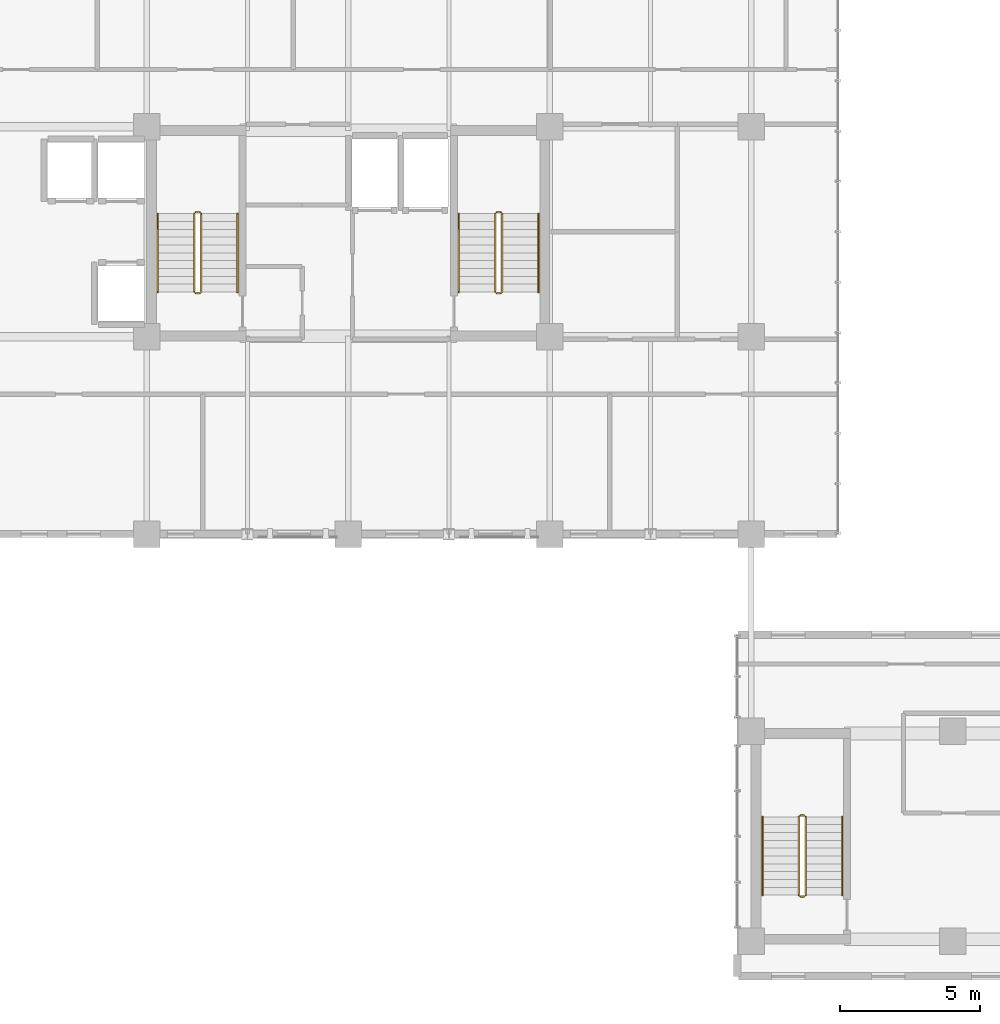
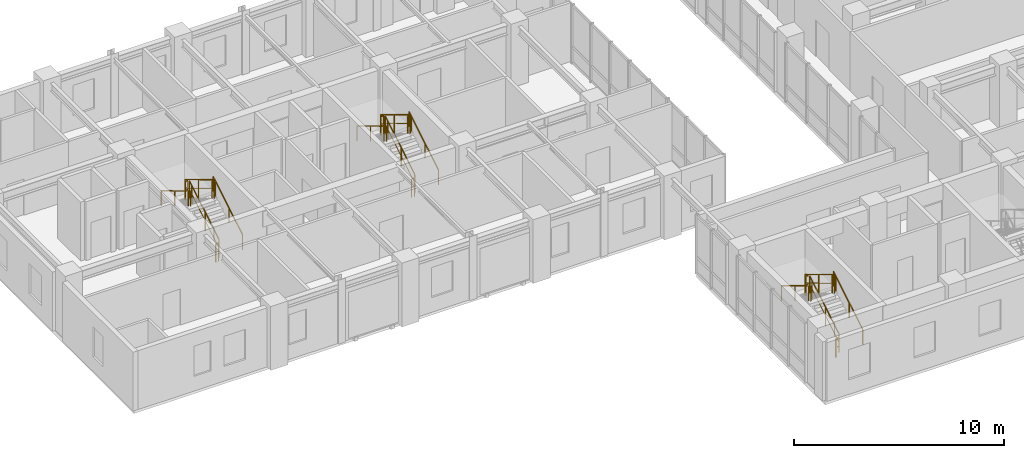
# One storey, part 22 of 24: 18 railings.
"""IFC4 building model written with IfcOpenShell, lengths in metres."""

from ifc_helpers import new_model, si_unit, direction, frame, origin, origin_2d, place, context, subcontext, project, spatial, rectangle, extrude, material, type_object, element, save


model = new_model("IFC4")

# Units and contexts
model_context = context("Model", 3, precision=1e-05, world=origin(), true_north=direction((0.0, 1.0)))
body_context = subcontext(model_context, "Body", "Model", "MODEL_VIEW")
ifc_project = project(units=[si_unit("LENGTHUNIT", "METRE"), si_unit("AREAUNIT", "SQUARE_METRE"), si_unit("VOLUMEUNIT", "CUBIC_METRE"), si_unit("PLANEANGLEUNIT", "RADIAN"), si_unit("MASSUNIT", "GRAM", prefix="KILO")], contexts=[model_context])

# Site, building, storey
site_placement = place(None, origin())
site = spatial("IfcSite", under=ifc_project, at=site_placement, CompositionType="ELEMENT")
building_placement = place(site_placement, origin())
building = spatial("IfcBuilding", under=site, at=building_placement, Name="Kaliganga Portal Commons", CompositionType="ELEMENT")
storey_placement = place(building_placement, frame((0.0, 0.0, 235.10009765625)))
storey = spatial("IfcBuildingStorey", under=building, at=storey_placement, Name="L60", CompositionType="ELEMENT", Elevation=235.10009765625)

# Railings
ifc_material_1 = material(Name="Galvanized Painted Steel Balustrade", Category="steel")
railing_type_1 = type_object("IfcRailingType", Name="RLG-STAIR-GRD", PredefinedType="GUARDRAIL", material=ifc_material_1)
railing_1_placement = place(storey_placement, frame((16.35009765625, 30.25, 0.16796875)))
element("IfcRailing", 1, at=railing_1_placement, inside=storey, type_object=railing_type_1, Name="L60 ST-A1 stair guard 1", PredefinedType="GUARDRAIL", context=body_context, shape_type="SweptSolid", body=[
    extrude(rectangle(XDim=0.048095703125, YDim=0.048095703125, at=origin_2d()), frame((0.0, 0.0, 1.072021484375), z_axis=(0.0, 0.857242210791, 0.514913383045), x_axis=(-1.0, 0.0, 0.0)), (0.0, 0.0, 1.0), 3.266357421875),
    extrude(rectangle(XDim=0.028076171875, YDim=0.028076171875, at=origin_2d()), frame((0.0, 0.0, 0.572021484375), z_axis=(0.0, 0.857242210791, 0.514913383045), x_axis=(-1.0, 0.0, 0.0)), (0.0, 0.0, 1.0), 3.266357421875),
    extrude(rectangle(XDim=0.0419921875, YDim=0.0419921875, at=origin_2d()), origin(), (0.0, 0.0, 1.0), 1.052001953125),
    extrude(rectangle(XDim=0.0419921875, YDim=0.0419921875, at=origin_2d()), frame((0.0, 1.285888671875, 0.7724609375)), (0.0, 0.0, 1.0), 1.052001953125),
    extrude(rectangle(XDim=0.0419921875, YDim=0.0419921875, at=origin_2d()), frame((0.0, 2.57177734375, 1.544677734375)), (0.0, 0.0, 1.0), 1.052001953125),
    extrude(rectangle(XDim=0.0419921875, YDim=0.0419921875, at=origin_2d()), frame((0.0, 2.800048828125, 1.681884765625)), (0.0, 0.0, 1.0), 1.052001953125),
])
railing_2_placement = place(storey_placement, frame((16.300048828125, 33.10009765625, 1.849853515625)))
element("IfcRailing", 2, at=railing_2_placement, inside=storey, type_object=railing_type_1, Name="L60 ST-A1 stair guard 2", PredefinedType="GUARDRAIL", context=body_context, shape_type="SweptSolid", body=[
    extrude(rectangle(XDim=0.048095703125, YDim=0.048095703125, at=origin_2d()), frame((0.0, 0.0, 1.076171875), z_axis=(-1.0, 0.0, 0.0), x_axis=(0.0, -1.0, 0.0)), (0.0, 0.0, 1.0), 0.150146484375),
    extrude(rectangle(XDim=0.028076171875, YDim=0.028076171875, at=origin_2d()), frame((0.0, 0.0, 0.572021484375), z_axis=(-1.0, 0.0, 0.0), x_axis=(0.0, -1.0, 0.0)), (0.0, 0.0, 1.0), 0.150146484375),
    extrude(rectangle(XDim=0.0419921875, YDim=0.0419921875, at=origin_2d()), origin(), (0.0, 0.0, 1.0), 1.052001953125),
    extrude(rectangle(XDim=0.0419921875, YDim=0.0419921875, at=origin_2d()), frame((-0.150146484375, 0.0, 0.0)), (0.0, 0.0, 1.0), 1.052001953125),
])
railing_3_placement = place(storey_placement, frame((16.10009765625, 33.050048828125, 2.01806640625)))
element("IfcRailing", 3, at=railing_3_placement, inside=storey, type_object=railing_type_1, Name="L60 ST-A1 stair guard 3", PredefinedType="GUARDRAIL", context=body_context, shape_type="SweptSolid", body=[
    extrude(rectangle(XDim=0.048095703125, YDim=0.048095703125, at=origin_2d()), frame((0.0, 0.0, 1.072021484375), z_axis=(0.0, -0.857242210791, 0.514913383045), x_axis=(1.0, 0.0, 0.0)), (0.0, 0.0, 1.0), 3.266357421875),
    extrude(rectangle(XDim=0.028076171875, YDim=0.028076171875, at=origin_2d()), frame((0.0, 0.0, 0.572021484375), z_axis=(0.0, -0.857242210791, 0.514913383045), x_axis=(1.0, 0.0, 0.0)), (0.0, 0.0, 1.0), 3.266357421875),
    extrude(rectangle(XDim=0.0419921875, YDim=0.0419921875, at=origin_2d()), origin(), (0.0, 0.0, 1.0), 1.052001953125),
    extrude(rectangle(XDim=0.0419921875, YDim=0.0419921875, at=origin_2d()), frame((0.0, -1.285888671875, 0.7724609375)), (0.0, 0.0, 1.0), 1.052001953125),
    extrude(rectangle(XDim=0.0419921875, YDim=0.0419921875, at=origin_2d()), frame((0.0, -2.57177734375, 1.544677734375)), (0.0, 0.0, 1.0), 1.052001953125),
    extrude(rectangle(XDim=0.0419921875, YDim=0.0419921875, at=origin_2d()), frame((0.0, -2.800048828125, 1.681884765625)), (0.0, 0.0, 1.0), 1.052001953125),
])
railing_4_placement = place(storey_placement, frame((16.300048828125, 30.199951171875, 0.0)))
element("IfcRailing", 4, at=railing_4_placement, inside=storey, type_object=railing_type_1, Name="L60 ST-A1 stair guard 4", PredefinedType="GUARDRAIL", context=body_context, shape_type="SweptSolid", body=[
    extrude(rectangle(XDim=0.048095703125, YDim=0.048095703125, at=origin_2d()), frame((0.0, 0.0, 1.076171875), z_axis=(-1.0, 0.0, 0.0), x_axis=(0.0, -1.0, 0.0)), (0.0, 0.0, 1.0), 0.150146484375),
    extrude(rectangle(XDim=0.028076171875, YDim=0.028076171875, at=origin_2d()), frame((0.0, 0.0, 0.572021484375), z_axis=(-1.0, 0.0, 0.0), x_axis=(0.0, -1.0, 0.0)), (0.0, 0.0, 1.0), 0.150146484375),
    extrude(rectangle(XDim=0.0419921875, YDim=0.0419921875, at=origin_2d()), origin(), (0.0, 0.0, 1.0), 1.052001953125),
    extrude(rectangle(XDim=0.0419921875, YDim=0.0419921875, at=origin_2d()), frame((-0.150146484375, 0.0, 0.0)), (0.0, 0.0, 1.0), 1.052001953125),
])
railing_5_placement = place(storey_placement, frame((27.10009765625, 30.25, 0.16796875)))
element("IfcRailing", 5, at=railing_5_placement, inside=storey, type_object=railing_type_1, Name="L60 ST-A2 stair guard 1", PredefinedType="GUARDRAIL", context=body_context, shape_type="SweptSolid", body=[
    extrude(rectangle(XDim=0.048095703125, YDim=0.048095703125, at=origin_2d()), frame((0.0, 0.0, 1.072021484375), z_axis=(0.0, 0.857242210791, 0.514913383045), x_axis=(-1.0, 0.0, 0.0)), (0.0, 0.0, 1.0), 3.266357421875),
    extrude(rectangle(XDim=0.028076171875, YDim=0.028076171875, at=origin_2d()), frame((0.0, 0.0, 0.572021484375), z_axis=(0.0, 0.857242210791, 0.514913383045), x_axis=(-1.0, 0.0, 0.0)), (0.0, 0.0, 1.0), 3.266357421875),
    extrude(rectangle(XDim=0.0419921875, YDim=0.0419921875, at=origin_2d()), origin(), (0.0, 0.0, 1.0), 1.052001953125),
    extrude(rectangle(XDim=0.0419921875, YDim=0.0419921875, at=origin_2d()), frame((0.0, 1.285888671875, 0.7724609375)), (0.0, 0.0, 1.0), 1.052001953125),
    extrude(rectangle(XDim=0.0419921875, YDim=0.0419921875, at=origin_2d()), frame((0.0, 2.57177734375, 1.544677734375)), (0.0, 0.0, 1.0), 1.052001953125),
    extrude(rectangle(XDim=0.0419921875, YDim=0.0419921875, at=origin_2d()), frame((0.0, 2.800048828125, 1.681884765625)), (0.0, 0.0, 1.0), 1.052001953125),
])
railing_6_placement = place(storey_placement, frame((27.050048828125, 33.10009765625, 1.849853515625)))
element("IfcRailing", 6, at=railing_6_placement, inside=storey, type_object=railing_type_1, Name="L60 ST-A2 stair guard 2", PredefinedType="GUARDRAIL", context=body_context, shape_type="SweptSolid", body=[
    extrude(rectangle(XDim=0.048095703125, YDim=0.048095703125, at=origin_2d()), frame((0.0, 0.0, 1.076171875), z_axis=(-1.0, 0.0, 0.0), x_axis=(0.0, -1.0, 0.0)), (0.0, 0.0, 1.0), 0.150146484375),
    extrude(rectangle(XDim=0.028076171875, YDim=0.028076171875, at=origin_2d()), frame((0.0, 0.0, 0.572021484375), z_axis=(-1.0, 0.0, 0.0), x_axis=(0.0, -1.0, 0.0)), (0.0, 0.0, 1.0), 0.150146484375),
    extrude(rectangle(XDim=0.0419921875, YDim=0.0419921875, at=origin_2d()), origin(), (0.0, 0.0, 1.0), 1.052001953125),
    extrude(rectangle(XDim=0.0419921875, YDim=0.0419921875, at=origin_2d()), frame((-0.150146484375, 0.0, 0.0)), (0.0, 0.0, 1.0), 1.052001953125),
])
railing_7_placement = place(storey_placement, frame((26.85009765625, 33.050048828125, 2.01806640625)))
element("IfcRailing", 7, at=railing_7_placement, inside=storey, type_object=railing_type_1, Name="L60 ST-A2 stair guard 3", PredefinedType="GUARDRAIL", context=body_context, shape_type="SweptSolid", body=[
    extrude(rectangle(XDim=0.048095703125, YDim=0.048095703125, at=origin_2d()), frame((0.0, 0.0, 1.072021484375), z_axis=(0.0, -0.857242210791, 0.514913383045), x_axis=(1.0, 0.0, 0.0)), (0.0, 0.0, 1.0), 3.266357421875),
    extrude(rectangle(XDim=0.028076171875, YDim=0.028076171875, at=origin_2d()), frame((0.0, 0.0, 0.572021484375), z_axis=(0.0, -0.857242210791, 0.514913383045), x_axis=(1.0, 0.0, 0.0)), (0.0, 0.0, 1.0), 3.266357421875),
    extrude(rectangle(XDim=0.0419921875, YDim=0.0419921875, at=origin_2d()), origin(), (0.0, 0.0, 1.0), 1.052001953125),
    extrude(rectangle(XDim=0.0419921875, YDim=0.0419921875, at=origin_2d()), frame((0.0, -1.285888671875, 0.7724609375)), (0.0, 0.0, 1.0), 1.052001953125),
    extrude(rectangle(XDim=0.0419921875, YDim=0.0419921875, at=origin_2d()), frame((0.0, -2.57177734375, 1.544677734375)), (0.0, 0.0, 1.0), 1.052001953125),
    extrude(rectangle(XDim=0.0419921875, YDim=0.0419921875, at=origin_2d()), frame((0.0, -2.800048828125, 1.681884765625)), (0.0, 0.0, 1.0), 1.052001953125),
])
railing_8_placement = place(storey_placement, frame((27.050048828125, 30.199951171875, 0.0)))
element("IfcRailing", 8, at=railing_8_placement, inside=storey, type_object=railing_type_1, Name="L60 ST-A2 stair guard 4", PredefinedType="GUARDRAIL", context=body_context, shape_type="SweptSolid", body=[
    extrude(rectangle(XDim=0.048095703125, YDim=0.048095703125, at=origin_2d()), frame((0.0, 0.0, 1.076171875), z_axis=(-1.0, 0.0, 0.0), x_axis=(0.0, -1.0, 0.0)), (0.0, 0.0, 1.0), 0.150146484375),
    extrude(rectangle(XDim=0.028076171875, YDim=0.028076171875, at=origin_2d()), frame((0.0, 0.0, 0.572021484375), z_axis=(-1.0, 0.0, 0.0), x_axis=(0.0, -1.0, 0.0)), (0.0, 0.0, 1.0), 0.150146484375),
    extrude(rectangle(XDim=0.0419921875, YDim=0.0419921875, at=origin_2d()), origin(), (0.0, 0.0, 1.0), 1.052001953125),
    extrude(rectangle(XDim=0.0419921875, YDim=0.0419921875, at=origin_2d()), frame((-0.150146484375, 0.0, 0.0)), (0.0, 0.0, 1.0), 1.052001953125),
])
railing_9_placement = place(storey_placement, frame((37.949951171875, 8.699951171875, 0.16796875)))
element("IfcRailing", 9, at=railing_9_placement, inside=storey, type_object=railing_type_1, Name="L60 ST-B1 stair guard 1", PredefinedType="GUARDRAIL", context=body_context, shape_type="SweptSolid", body=[
    extrude(rectangle(XDim=0.048095703125, YDim=0.048095703125, at=origin_2d()), frame((0.0, 0.0, 1.072021484375), z_axis=(0.0, 0.857242210791, 0.514913383045), x_axis=(-1.0, 0.0, 0.0)), (0.0, 0.0, 1.0), 3.266357421875),
    extrude(rectangle(XDim=0.028076171875, YDim=0.028076171875, at=origin_2d()), frame((0.0, 0.0, 0.572021484375), z_axis=(0.0, 0.857242210791, 0.514913383045), x_axis=(-1.0, 0.0, 0.0)), (0.0, 0.0, 1.0), 3.266357421875),
    extrude(rectangle(XDim=0.0419921875, YDim=0.0419921875, at=origin_2d()), origin(), (0.0, 0.0, 1.0), 1.052001953125),
    extrude(rectangle(XDim=0.0419921875, YDim=0.0419921875, at=origin_2d()), frame((0.0, 1.285888671875, 0.7724609375)), (0.0, 0.0, 1.0), 1.052001953125),
    extrude(rectangle(XDim=0.0419921875, YDim=0.0419921875, at=origin_2d()), frame((0.0, 2.57177734375, 1.544677734375)), (0.0, 0.0, 1.0), 1.052001953125),
    extrude(rectangle(XDim=0.0419921875, YDim=0.0419921875, at=origin_2d()), frame((0.0, 2.800048828125, 1.681884765625)), (0.0, 0.0, 1.0), 1.052001953125),
])
railing_10_placement = place(storey_placement, frame((37.89990234375, 11.550048828125, 1.849853515625)))
element("IfcRailing", 10, at=railing_10_placement, inside=storey, type_object=railing_type_1, Name="L60 ST-B1 stair guard 2", PredefinedType="GUARDRAIL", context=body_context, shape_type="SweptSolid", body=[
    extrude(rectangle(XDim=0.048095703125, YDim=0.048095703125, at=origin_2d()), frame((0.0, 0.0, 1.076171875), z_axis=(-1.0, 0.0, 0.0), x_axis=(0.0, -1.0, 0.0)), (0.0, 0.0, 1.0), 0.14990234375),
    extrude(rectangle(XDim=0.028076171875, YDim=0.028076171875, at=origin_2d()), frame((0.0, 0.0, 0.572021484375), z_axis=(-1.0, 0.0, 0.0), x_axis=(0.0, -1.0, 0.0)), (0.0, 0.0, 1.0), 0.14990234375),
    extrude(rectangle(XDim=0.0419921875, YDim=0.0419921875, at=origin_2d()), frame((-0.14990234375, 0.0, 0.0)), (0.0, 0.0, 1.0), 1.052001953125),
])
railing_11_placement = place(storey_placement, frame((37.699951171875, 11.5, 2.01806640625)))
element("IfcRailing", 11, at=railing_11_placement, inside=storey, type_object=railing_type_1, Name="L60 ST-B1 stair guard 3", PredefinedType="GUARDRAIL", context=body_context, shape_type="SweptSolid", body=[
    extrude(rectangle(XDim=0.048095703125, YDim=0.048095703125, at=origin_2d()), frame((0.0, 0.0, 1.072021484375), z_axis=(0.0, -0.857242210791, 0.514913383045), x_axis=(1.0, 0.0, 0.0)), (0.0, 0.0, 1.0), 3.266357421875),
    extrude(rectangle(XDim=0.028076171875, YDim=0.028076171875, at=origin_2d()), frame((0.0, 0.0, 0.572021484375), z_axis=(0.0, -0.857242210791, 0.514913383045), x_axis=(1.0, 0.0, 0.0)), (0.0, 0.0, 1.0), 3.266357421875),
    extrude(rectangle(XDim=0.0419921875, YDim=0.0419921875, at=origin_2d()), origin(), (0.0, 0.0, 1.0), 1.052001953125),
    extrude(rectangle(XDim=0.0419921875, YDim=0.0419921875, at=origin_2d()), frame((0.0, -1.285888671875, 0.7724609375)), (0.0, 0.0, 1.0), 1.052001953125),
    extrude(rectangle(XDim=0.0419921875, YDim=0.0419921875, at=origin_2d()), frame((0.0, -2.57177734375, 1.544677734375)), (0.0, 0.0, 1.0), 1.052001953125),
    extrude(rectangle(XDim=0.0419921875, YDim=0.0419921875, at=origin_2d()), frame((0.0, -2.800048828125, 1.681884765625)), (0.0, 0.0, 1.0), 1.052001953125),
])
railing_12_placement = place(storey_placement, frame((37.89990234375, 8.64990234375, 0.0)))
element("IfcRailing", 12, at=railing_12_placement, inside=storey, type_object=railing_type_1, Name="L60 ST-B1 stair guard 4", PredefinedType="GUARDRAIL", context=body_context, shape_type="SweptSolid", body=[
    extrude(rectangle(XDim=0.048095703125, YDim=0.048095703125, at=origin_2d()), frame((0.0, 0.0, 1.076171875), z_axis=(-1.0, 0.0, 0.0), x_axis=(0.0, -1.0, 0.0)), (0.0, 0.0, 1.0), 0.14990234375),
    extrude(rectangle(XDim=0.028076171875, YDim=0.028076171875, at=origin_2d()), frame((0.0, 0.0, 0.572021484375), z_axis=(-1.0, 0.0, 0.0), x_axis=(0.0, -1.0, 0.0)), (0.0, 0.0, 1.0), 0.14990234375),
    extrude(rectangle(XDim=0.0419921875, YDim=0.0419921875, at=origin_2d()), frame((-0.14990234375, 0.0, 0.0)), (0.0, 0.0, 1.0), 1.052001953125),
])
ifc_material_2 = material(Name="Brushed Stainless Steel 316", Category="steel")
railing_type_2 = type_object("IfcRailingType", Name="RLG-STAIR-HR", PredefinedType="HANDRAIL", material=ifc_material_2)
railing_13_placement = place(storey_placement, frame((17.64990234375, 30.25, 0.16796875)))
element("IfcRailing", 13, at=railing_13_placement, inside=storey, type_object=railing_type_2, Name="L60 ST-A1 stair handrail 1", PredefinedType="HANDRAIL", context=body_context, shape_type="SweptSolid", body=[
    extrude(rectangle(XDim=0.048095703125, YDim=0.048095703125, at=origin_2d()), frame((0.0, 0.0, 0.871826171875), z_axis=(0.0, 0.857242210791, 0.514913383045), x_axis=(-1.0, 0.0, 0.0)), (0.0, 0.0, 1.0), 3.266357421875),
    extrude(rectangle(XDim=0.0419921875, YDim=0.0419921875, at=origin_2d()), origin(), (0.0, 0.0, 1.0), 0.851806640625),
    extrude(rectangle(XDim=0.0419921875, YDim=0.0419921875, at=origin_2d()), frame((0.0, 1.285888671875, 0.7724609375)), (0.0, 0.0, 1.0), 0.851806640625),
    extrude(rectangle(XDim=0.0419921875, YDim=0.0419921875, at=origin_2d()), frame((0.0, 2.57177734375, 1.544677734375)), (0.0, 0.0, 1.0), 0.851806640625),
    extrude(rectangle(XDim=0.0419921875, YDim=0.0419921875, at=origin_2d()), frame((0.0, 2.800048828125, 1.681884765625)), (0.0, 0.0, 1.0), 0.851806640625),
])
railing_14_placement = place(storey_placement, frame((14.800048828125, 33.050048828125, 2.01806640625)))
element("IfcRailing", 14, at=railing_14_placement, inside=storey, type_object=railing_type_2, Name="L60 ST-A1 stair handrail 2", PredefinedType="HANDRAIL", context=body_context, shape_type="SweptSolid", body=[
    extrude(rectangle(XDim=0.048095703125, YDim=0.048095703125, at=origin_2d()), frame((0.0, 0.0, 0.871826171875), z_axis=(0.0, -0.857242210791, 0.514913383045), x_axis=(1.0, 0.0, 0.0)), (0.0, 0.0, 1.0), 3.266357421875),
    extrude(rectangle(XDim=0.0419921875, YDim=0.0419921875, at=origin_2d()), origin(), (0.0, 0.0, 1.0), 0.851806640625),
    extrude(rectangle(XDim=0.0419921875, YDim=0.0419921875, at=origin_2d()), frame((0.0, -1.285888671875, 0.7724609375)), (0.0, 0.0, 1.0), 0.851806640625),
    extrude(rectangle(XDim=0.0419921875, YDim=0.0419921875, at=origin_2d()), frame((0.0, -2.57177734375, 1.544677734375)), (0.0, 0.0, 1.0), 0.851806640625),
    extrude(rectangle(XDim=0.0419921875, YDim=0.0419921875, at=origin_2d()), frame((0.0, -2.800048828125, 1.681884765625)), (0.0, 0.0, 1.0), 0.851806640625),
])
railing_15_placement = place(storey_placement, frame((28.39990234375, 30.25, 0.16796875)))
element("IfcRailing", 15, at=railing_15_placement, inside=storey, type_object=railing_type_2, Name="L60 ST-A2 stair handrail 1", PredefinedType="HANDRAIL", context=body_context, shape_type="SweptSolid", body=[
    extrude(rectangle(XDim=0.048095703125, YDim=0.048095703125, at=origin_2d()), frame((0.0, 0.0, 0.871826171875), z_axis=(0.0, 0.857242210791, 0.514913383045), x_axis=(-1.0, 0.0, 0.0)), (0.0, 0.0, 1.0), 3.266357421875),
    extrude(rectangle(XDim=0.0419921875, YDim=0.0419921875, at=origin_2d()), origin(), (0.0, 0.0, 1.0), 0.851806640625),
    extrude(rectangle(XDim=0.0419921875, YDim=0.0419921875, at=origin_2d()), frame((0.0, 1.285888671875, 0.7724609375)), (0.0, 0.0, 1.0), 0.851806640625),
    extrude(rectangle(XDim=0.0419921875, YDim=0.0419921875, at=origin_2d()), frame((0.0, 2.57177734375, 1.544677734375)), (0.0, 0.0, 1.0), 0.851806640625),
    extrude(rectangle(XDim=0.0419921875, YDim=0.0419921875, at=origin_2d()), frame((0.0, 2.800048828125, 1.681884765625)), (0.0, 0.0, 1.0), 0.851806640625),
])
railing_16_placement = place(storey_placement, frame((25.550048828125, 33.050048828125, 2.01806640625)))
element("IfcRailing", 16, at=railing_16_placement, inside=storey, type_object=railing_type_2, Name="L60 ST-A2 stair handrail 2", PredefinedType="HANDRAIL", context=body_context, shape_type="SweptSolid", body=[
    extrude(rectangle(XDim=0.048095703125, YDim=0.048095703125, at=origin_2d()), frame((0.0, 0.0, 0.871826171875), z_axis=(0.0, -0.857242210791, 0.514913383045), x_axis=(1.0, 0.0, 0.0)), (0.0, 0.0, 1.0), 3.266357421875),
    extrude(rectangle(XDim=0.0419921875, YDim=0.0419921875, at=origin_2d()), origin(), (0.0, 0.0, 1.0), 0.851806640625),
    extrude(rectangle(XDim=0.0419921875, YDim=0.0419921875, at=origin_2d()), frame((0.0, -1.285888671875, 0.7724609375)), (0.0, 0.0, 1.0), 0.851806640625),
    extrude(rectangle(XDim=0.0419921875, YDim=0.0419921875, at=origin_2d()), frame((0.0, -2.57177734375, 1.544677734375)), (0.0, 0.0, 1.0), 0.851806640625),
    extrude(rectangle(XDim=0.0419921875, YDim=0.0419921875, at=origin_2d()), frame((0.0, -2.800048828125, 1.681884765625)), (0.0, 0.0, 1.0), 0.851806640625),
])
railing_17_placement = place(storey_placement, frame((39.25, 8.699951171875, 0.16796875)))
element("IfcRailing", 17, at=railing_17_placement, inside=storey, type_object=railing_type_2, Name="L60 ST-B1 stair handrail 1", PredefinedType="HANDRAIL", context=body_context, shape_type="SweptSolid", body=[
    extrude(rectangle(XDim=0.048095703125, YDim=0.048095703125, at=origin_2d()), frame((0.0, 0.0, 0.871826171875), z_axis=(0.0, 0.857242210791, 0.514913383045), x_axis=(-1.0, 0.0, 0.0)), (0.0, 0.0, 1.0), 3.266357421875),
    extrude(rectangle(XDim=0.0419921875, YDim=0.0419921875, at=origin_2d()), origin(), (0.0, 0.0, 1.0), 0.851806640625),
    extrude(rectangle(XDim=0.0419921875, YDim=0.0419921875, at=origin_2d()), frame((0.0, 1.285888671875, 0.7724609375)), (0.0, 0.0, 1.0), 0.851806640625),
    extrude(rectangle(XDim=0.0419921875, YDim=0.0419921875, at=origin_2d()), frame((0.0, 2.57177734375, 1.544677734375)), (0.0, 0.0, 1.0), 0.851806640625),
    extrude(rectangle(XDim=0.0419921875, YDim=0.0419921875, at=origin_2d()), frame((0.0, 2.800048828125, 1.681884765625)), (0.0, 0.0, 1.0), 0.851806640625),
])
railing_18_placement = place(storey_placement, frame((36.39990234375, 11.5, 2.01806640625)))
element("IfcRailing", 18, at=railing_18_placement, inside=storey, type_object=railing_type_2, Name="L60 ST-B1 stair handrail 2", PredefinedType="HANDRAIL", context=body_context, shape_type="SweptSolid", body=[
    extrude(rectangle(XDim=0.048095703125, YDim=0.048095703125, at=origin_2d()), frame((0.0, 0.0, 0.871826171875), z_axis=(0.0, -0.857242210791, 0.514913383045), x_axis=(1.0, 0.0, 0.0)), (0.0, 0.0, 1.0), 3.266357421875),
    extrude(rectangle(XDim=0.0419921875, YDim=0.0419921875, at=origin_2d()), origin(), (0.0, 0.0, 1.0), 0.851806640625),
    extrude(rectangle(XDim=0.0419921875, YDim=0.0419921875, at=origin_2d()), frame((0.0, -1.285888671875, 0.7724609375)), (0.0, 0.0, 1.0), 0.851806640625),
    extrude(rectangle(XDim=0.0419921875, YDim=0.0419921875, at=origin_2d()), frame((0.0, -2.57177734375, 1.544677734375)), (0.0, 0.0, 1.0), 0.851806640625),
    extrude(rectangle(XDim=0.0419921875, YDim=0.0419921875, at=origin_2d()), frame((0.0, -2.800048828125, 1.681884765625)), (0.0, 0.0, 1.0), 0.851806640625),
])

save(model, "model.ifc")
